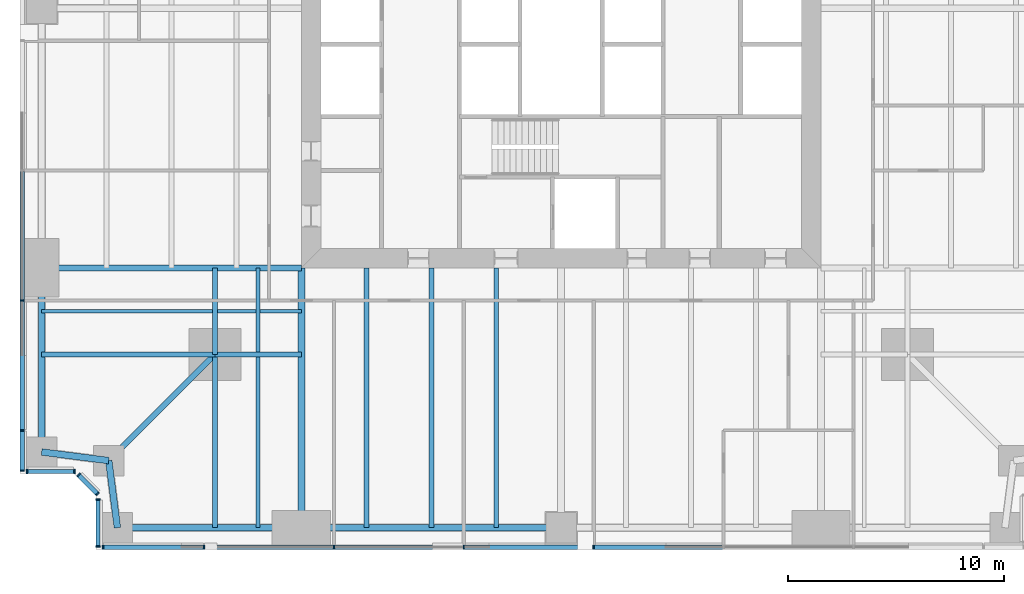
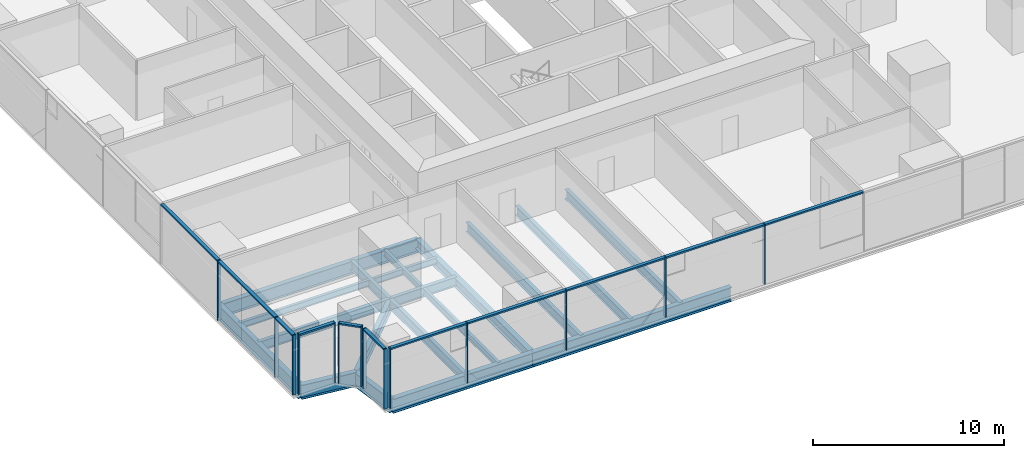
# One storey, part 2 of 13: 25 members, 20 beams, 5 elements without a shape of their own.
"""IFC4 building model written with IfcOpenShell, lengths in metres."""

import ifcopenshell
import ifcopenshell.guid

model = None  # the IFC model being written
_history = None  # IfcOwnerHistory: only IFC2X3 demands one
_inside = {}  # id of a spatial element -> (the spatial element, [elements in it])
_under = {}  # id of a project, library or spatial element -> (it, [spatial elements below it])
_declared = {}  # id of a project -> (the project, [libraries it declares])
_typed = {}  # id of a type object -> (the type object, [elements of that type])
_made_of = {}  # id of a material, layer set ... -> (it, [elements and type objects made of it])


def new_model(schema):
    """Start an empty IFC model of exactly this schema.

    Asked for "IFC4X3", IfcOpenShell would pick the latest addendum, in which some entities
    have other attributes; the version numbers below select the first issue.
    IFC2X3 requires an IfcOwnerHistory on every rooted entity: one is made here for all.
    """
    global model, _history
    if schema == "IFC4X3":
        model = ifcopenshell.file(schema_version=(4, 3, 0, 0))
    else:
        model = ifcopenshell.file(schema=schema)
    _inside.clear()
    _under.clear()
    _declared.clear()
    _typed.clear()
    _made_of.clear()
    _history = None
    if model.schema == "IFC2X3":
        org = make("IfcOrganization", Name="unknown")
        user = make(
            "IfcPersonAndOrganization",
            ThePerson=make("IfcPerson", FamilyName="unknown"),
            TheOrganization=org,
        )
        app = make(
            "IfcApplication",
            ApplicationDeveloper=org,
            Version="unknown",
            ApplicationFullName="unknown",
            ApplicationIdentifier="unknown",
        )
        _history = make(
            "IfcOwnerHistory",
            OwningUser=user,
            OwningApplication=app,
            ChangeAction="ADDED",
            CreationDate=0,
        )
    return model


def make(cls, **values):
    """One entity of the class cls with the attributes given. An attribute that is None is left unset."""
    return model.create_entity(
        cls, **{name: value for name, value in values.items() if value is not None}
    )


def rooted(cls, **values):
    """An entity with a GlobalId (a new one), such as an element, a storey or a relation."""
    return make(cls, GlobalId=ifcopenshell.guid.new(), OwnerHistory=_history, **values)


def si_unit(unit_type, name, prefix=None):
    """IfcSIUnit, for example si_unit("LENGTHUNIT", "METRE", prefix="MILLI")."""
    return make("IfcSIUnit", UnitType=unit_type, Prefix=prefix, Name=name)


def assignment(units):
    """IfcUnitAssignment: the units of a project."""
    return None if units is None else make("IfcUnitAssignment", Units=units)


def point(xyz):
    """IfcCartesianPoint."""
    return None if xyz is None else make("IfcCartesianPoint", Coordinates=xyz)


def direction(xyz):
    """IfcDirection."""
    return None if xyz is None else make("IfcDirection", DirectionRatios=xyz)


def frame(location, z_axis=None, x_axis=None):
    """IfcAxis2Placement3D, a coordinate frame: its origin and axes. An axis left out is left unset."""
    return make(
        "IfcAxis2Placement3D",
        Location=point(location),
        Axis=direction(z_axis),
        RefDirection=direction(x_axis),
    )


def frame_2d(location, x_axis=None):
    """IfcAxis2Placement2D, a coordinate frame in the plane: its origin and x axis."""
    return make(
        "IfcAxis2Placement2D", Location=point(location), RefDirection=direction(x_axis)
    )


def origin():
    """The frame at (0, 0, 0) with its axes left unset."""
    return frame((0.0, 0.0, 0.0))


def origin_2d():
    """The frame at (0, 0) in the plane with its x axis left unset."""
    return frame_2d((0.0, 0.0))


def place(relative_to, where):
    """IfcLocalPlacement: puts the frame where relative to a parent placement (None: the world)."""
    return make(
        "IfcLocalPlacement", PlacementRelTo=relative_to, RelativePlacement=where
    )


def context(
    kind, dimensions, precision=None, world=None, true_north=None, identifier=None
):
    """IfcGeometricRepresentationContext, for example the 3D "Model" context."""
    return make(
        "IfcGeometricRepresentationContext",
        ContextIdentifier=identifier,
        ContextType=kind,
        CoordinateSpaceDimension=dimensions,
        Precision=precision,
        WorldCoordinateSystem=world,
        TrueNorth=true_north,
    )


def subcontext(parent, identifier, kind, view, scale=None):
    """IfcGeometricRepresentationSubContext, for example "Body" below "Model"."""
    return make(
        "IfcGeometricRepresentationSubContext",
        ContextIdentifier=identifier,
        ContextType=kind,
        ParentContext=parent,
        TargetScale=scale,
        TargetView=view,
    )


def project(units=None, contexts=None):
    """IfcProject with its units and contexts."""
    return rooted(
        "IfcProject",
        Name="project",
        RepresentationContexts=contexts,
        UnitsInContext=assignment(units),
    )


def spatial(cls, under=None, at=None, **own):
    """A site, building, storey or space (cls), placed at a placement, below another one or the project."""
    s = rooted(cls, ObjectPlacement=at, **own)
    if under is not None:
        _under.setdefault(under.id(), (under, []))[1].append(s)
    return s


def profile(cls, at=None, kind="AREA", **sizes):
    """A parametric profile (cls). Its sizes go by their IFC names, for example OverallWidth=200.0."""
    return make(cls, ProfileType=kind, Position=at, **sizes)


def rectangle(**sizes):
    """IfcRectangleProfileDef."""
    return profile("IfcRectangleProfileDef", **sizes)


def i_section(**sizes):
    """IfcIShapeProfileDef."""
    return profile("IfcIShapeProfileDef", **sizes)


def extrude(swept, where, along, depth):
    """IfcExtrudedAreaSolid: the profile swept, set in the frame where, extruded along a direction by depth."""
    return make(
        "IfcExtrudedAreaSolid",
        SweptArea=swept,
        Position=where,
        ExtrudedDirection=direction(along),
        Depth=depth,
    )


def shape(context_of_items, identifier, shape_type, items):
    """IfcShapeRepresentation: the items that make up one representation, for example the "Body"."""
    return make(
        "IfcShapeRepresentation",
        ContextOfItems=context_of_items,
        RepresentationIdentifier=identifier,
        RepresentationType=shape_type,
        Items=items,
    )


def material(Name=None, Category=None):
    """IfcMaterial."""
    return make("IfcMaterial", Name=Name, Category=Category)


def material_profile(
    of_material, cross_section, Name=None, Category=None, Priority=None
):
    """IfcMaterialProfile: a cross section and its material."""
    return make(
        "IfcMaterialProfile",
        Name=Name,
        Material=of_material,
        Profile=cross_section,
        Priority=Priority,
        Category=Category,
    )


def profile_set(profiles, Name=None, composite=None):
    """IfcMaterialProfileSet."""
    return make(
        "IfcMaterialProfileSet",
        Name=Name,
        MaterialProfiles=profiles,
        CompositeProfile=composite,
    )


def made_of(thing, what):
    """Note that an element or type object is made of a material, layer set ...; save() writes the relation."""
    if what is not None:
        _made_of.setdefault(what.id(), (what, []))[1].append(thing)
    return thing


def type_object(cls, material=None, **own):
    """A type object (cls), such as IfcWallType, which elements share."""
    return made_of(rooted(cls, **own), material)


def element(
    cls,
    number,
    at=None,
    inside=None,
    cuts=None,
    type_object=None,
    material=None,
    context=None,
    identifier="Body",
    shape_type=None,
    held_by="IfcProductDefinitionShape",
    body=None,
    shapes=None,
    **own,
):
    """One element of the class cls, such as IfcWall. Its Tag is "e" and its number.

    at: its placement. inside: the storey or other place that contains it. cuts: it is an
    opening in that element (IfcRelVoidsElement). A single representation is given by context,
    identifier, shape_type and body (its items); several are given by shapes. held_by: the class
    of the entity that holds the representations. save() writes the other relations.
    """
    e = rooted(cls, Tag="e%d" % number, ObjectPlacement=at, **own)
    if body is not None:
        shapes = [shape(context, identifier, shape_type, body)]
    if shapes is not None:
        e.Representation = make(held_by, Representations=shapes)
    if inside is not None:
        _inside.setdefault(inside.id(), (inside, []))[1].append(e)
    if cuts is not None:
        rooted(
            "IfcRelVoidsElement", RelatingBuildingElement=cuts, RelatedOpeningElement=e
        )
    if type_object is not None:
        _typed.setdefault(type_object.id(), (type_object, []))[1].append(e)
    return made_of(e, material)


def aggregate(whole, parts):
    """IfcRelAggregates: a whole, such as a stair, and the parts it consists of."""
    return rooted("IfcRelAggregates", RelatingObject=whole, RelatedObjects=parts)


def save(model, path):
    """Write the relations noted so far, then the file.

    IfcRelAggregates (storeys below a building ...), IfcRelContainedInSpatialStructure (elements
    in a storey), IfcRelDefinesByType, IfcRelAssociatesMaterial and IfcRelDeclares: one each for
    every whole, place, type object, material and project.
    """
    for whole, parts in _under.values():
        aggregate(whole, parts)
    for where, things in _inside.values():
        rooted(
            "IfcRelContainedInSpatialStructure",
            RelatedElements=things,
            RelatingStructure=where,
        )
    for kind, things in _typed.values():
        rooted("IfcRelDefinesByType", RelatedObjects=things, RelatingType=kind)
    for what, things in _made_of.values():
        rooted("IfcRelAssociatesMaterial", RelatedObjects=things, RelatingMaterial=what)
    for by, libraries in _declared.values():
        rooted("IfcRelDeclares", RelatingContext=by, RelatedDefinitions=libraries)
    model.write(path)


model = new_model("IFC4")

# Units and contexts
model_context = context("Model", 3, precision=1e-05, world=origin(), true_north=direction((0.0, 1.0)))
body_context = subcontext(model_context, "Body", "Model", "MODEL_VIEW")
ifc_project = project(units=[si_unit("LENGTHUNIT", "METRE"), si_unit("AREAUNIT", "SQUARE_METRE"), si_unit("VOLUMEUNIT", "CUBIC_METRE"), si_unit("PLANEANGLEUNIT", "RADIAN"), si_unit("MASSUNIT", "GRAM", prefix="KILO")], contexts=[model_context])

# Site, building, storey
site_placement = place(None, origin())
site = spatial("IfcSite", under=ifc_project, at=site_placement, CompositionType="ELEMENT")
building_placement = place(site_placement, origin())
building = spatial("IfcBuilding", under=site, at=building_placement, Name="Fenwick Lantern Interchange", CompositionType="ELEMENT")
storey_placement = place(building_placement, frame((0.0, 0.0, 63.0)))
storey = spatial("IfcBuildingStorey", under=building, at=storey_placement, Name="L14", CompositionType="ELEMENT", Elevation=63.0)

# Beams
ifc_material_1 = material(Name="Steel ASTM A992 Grade 50", Category="steel")
ifc_material_profile_1 = material_profile(ifc_material_1, i_section(OverallWidth=0.3046875, OverallDepth=0.911865234375, WebThickness=0.015869140625, FlangeThickness=0.02392578125, at=origin_2d()), Name="W36X150")
ifc_profile_set_1 = profile_set([ifc_material_profile_1], Name="Steel ASTM A992 Grade 50")
beam_type_1 = type_object("IfcBeamType", Name="EDGE BEAM W36X150", PredefinedType="SPANDREL", material=ifc_profile_set_1)
beam_1_placement = place(storey_placement, frame((4.5, 1.0, -0.60595703125), z_axis=(1.0, 0.0, 0.0), x_axis=(0.0, 1.0, 0.0)))
element("IfcBeam", 1, at=beam_1_placement, inside=storey, type_object=beam_type_1, Name="L14/FR/S/EB1", PredefinedType="SPANDREL", context=body_context, shape_type="SweptSolid", body=[
    extrude(i_section(OverallWidth=0.3046875, OverallDepth=0.911865234375, WebThickness=0.015869140625, FlangeThickness=0.02392578125, at=origin_2d()), origin(), (0.0, 0.0, 1.0), 8.5),
])
beam_2_placement = place(storey_placement, frame((13.0, 1.0, -0.60595703125), z_axis=(1.0, 0.0, 0.0), x_axis=(0.0, 1.0, 0.0)))
element("IfcBeam", 2, at=beam_2_placement, inside=storey, type_object=beam_type_1, Name="L14/FR/S/EB2", PredefinedType="SPANDREL", context=body_context, shape_type="SweptSolid", body=[
    extrude(i_section(OverallWidth=0.3046875, OverallDepth=0.911865234375, WebThickness=0.015869140625, FlangeThickness=0.02392578125, at=origin_2d()), origin(), (0.0, 0.0, 1.0), 12.0),
])
beam_3_placement = place(storey_placement, frame((1.0, 13.0, -0.60595703125), z_axis=(0.0, -1.0, 0.0), x_axis=(1.0, 0.0, 0.0)))
element("IfcBeam", 3, at=beam_3_placement, inside=storey, type_object=beam_type_1, Name="L14/FR/W/EB4", PredefinedType="SPANDREL", context=body_context, shape_type="SweptSolid", body=[
    extrude(i_section(OverallWidth=0.3046875, OverallDepth=0.911865234375, WebThickness=0.015869140625, FlangeThickness=0.02392578125, at=origin_2d()), origin(), (0.0, 0.0, 1.0), 8.5),
])
for number, where, z_axis, x_axis, name in (
    (4, (1.0, 4.5, -0.60595703125), (0.991782342897, -0.127936641807, 0.0), (0.127936641807, 0.991782342897, 0.0), "L14/FR/W/EBR1"),
    (5, (4.10009765625, 4.10009765625, -0.60595703125), (0.127936641807, -0.991782342897, 0.0), (0.991782342897, 0.127936641807, 0.0), "L14/FR/W/EBR2"),
):
    element("IfcBeam", number, at=place(storey_placement, frame(where, z_axis=z_axis, x_axis=x_axis)), inside=storey, type_object=beam_type_1, Name=name, PredefinedType="SPANDREL", context=body_context, shape_type="SweptSolid", body=[
        extrude(i_section(OverallWidth=0.3046875, OverallDepth=0.911865234375, WebThickness=0.015869140625, FlangeThickness=0.02392578125, at=origin_2d()), origin(), (0.0, 0.0, 1.0), 3.125732421875),
    ])
ifc_material_profile_2 = material_profile(ifc_material_1, i_section(OverallWidth=0.22900390625, OverallDepth=0.612060546875, WebThickness=0.011962890625, FlangeThickness=0.01953125, at=origin_2d()), Name="W24X84")
ifc_profile_set_2 = profile_set([ifc_material_profile_2], Name="Steel ASTM A992 Grade 50")
beam_type_2 = type_object("IfcBeamType", Name="FLOOR BEAM W24X84", PredefinedType="BEAM", material=ifc_profile_set_2)
for number, where, z_axis, x_axis, name in (
    (6, (16.0, 1.0, -0.4560546875), (0.0, 1.0, 0.0), (-1.0, 0.0, 0.0), "L14/FR/S/R02"),
    (7, (19.0, 1.0, -0.4560546875), (0.0, 1.0, 0.0), (-1.0, 0.0, 0.0), "L14/FR/S/R03"),
    (8, (22.0, 1.0, -0.4560546875), (0.0, 1.0, 0.0), (-1.0, 0.0, 0.0), "L14/FR/S/R04"),
):
    element("IfcBeam", number, at=place(storey_placement, frame(where, z_axis=z_axis, x_axis=x_axis)), inside=storey, type_object=beam_type_2, Name=name, PredefinedType="BEAM", context=body_context, shape_type="SweptSolid", body=[
        extrude(i_section(OverallWidth=0.22900390625, OverallDepth=0.612060546875, WebThickness=0.011962890625, FlangeThickness=0.01953125, at=origin_2d()), origin(), (0.0, 0.0, 1.0), 12.0),
    ])
ifc_material_profile_3 = material_profile(ifc_material_1, i_section(OverallWidth=0.177734375, OverallDepth=0.406494140625, WebThickness=0.0078125, FlangeThickness=0.012939453125, at=origin_2d()), Name="W16X40")
ifc_profile_set_3 = profile_set([ifc_material_profile_3], Name="Steel ASTM A992 Grade 50")
beam_type_3 = type_object("IfcBeamType", Name="INFILL BEAM W16X40", PredefinedType="JOIST", material=ifc_profile_set_3)
beam_4_placement = place(storey_placement, frame((11.0, 1.0, -0.353271484375), z_axis=(0.0, 1.0, 0.0), x_axis=(-1.0, 0.0, 0.0)))
element("IfcBeam", 9, at=beam_4_placement, inside=storey, type_object=beam_type_3, Name="L14/FR/S/J1", PredefinedType="JOIST", context=body_context, shape_type="SweptSolid", body=[
    extrude(i_section(OverallWidth=0.177734375, OverallDepth=0.406494140625, WebThickness=0.0078125, FlangeThickness=0.012939453125, at=origin_2d()), origin(), (0.0, 0.0, 1.0), 7.885498046875),
])
beam_5_placement = place(storey_placement, frame((11.0, 9.114501953125, -0.353271484375), z_axis=(0.0, 1.0, 0.0), x_axis=(-1.0, 0.0, 0.0)))
element("IfcBeam", 10, at=beam_5_placement, inside=storey, type_object=beam_type_3, Name="L14/FR/S/J2", PredefinedType="JOIST", context=body_context, shape_type="SweptSolid", body=[
    extrude(i_section(OverallWidth=0.177734375, OverallDepth=0.406494140625, WebThickness=0.0078125, FlangeThickness=0.012939453125, at=origin_2d()), origin(), (0.0, 0.0, 1.0), 3.885498046875),
])
beam_6_placement = place(storey_placement, frame((1.0, 11.0, -0.353271484375), z_axis=(1.0, 0.0, 0.0), x_axis=(0.0, 1.0, 0.0)))
element("IfcBeam", 11, at=beam_6_placement, inside=storey, type_object=beam_type_3, Name="L14/FR/S/J3", PredefinedType="JOIST", context=body_context, shape_type="SweptSolid", body=[
    extrude(i_section(OverallWidth=0.177734375, OverallDepth=0.406494140625, WebThickness=0.0078125, FlangeThickness=0.012939453125, at=origin_2d()), origin(), (0.0, 0.0, 1.0), 7.885498046875),
])
beam_7_placement = place(storey_placement, frame((9.114501953125, 11.0, -0.353271484375), z_axis=(1.0, 0.0, 0.0), x_axis=(0.0, 1.0, 0.0)))
element("IfcBeam", 12, at=beam_7_placement, inside=storey, type_object=beam_type_3, Name="L14/FR/S/J4", PredefinedType="JOIST", context=body_context, shape_type="SweptSolid", body=[
    extrude(i_section(OverallWidth=0.177734375, OverallDepth=0.406494140625, WebThickness=0.0078125, FlangeThickness=0.012939453125, at=origin_2d()), origin(), (0.0, 0.0, 1.0), 1.796630859375),
])
beam_8_placement = place(storey_placement, frame((11.0888671875, 11.0, -0.353271484375), z_axis=(1.0, 0.0, 0.0), x_axis=(0.0, 1.0, 0.0)))
element("IfcBeam", 13, at=beam_8_placement, inside=storey, type_object=beam_type_3, Name="L14/FR/S/J5", PredefinedType="JOIST", context=body_context, shape_type="SweptSolid", body=[
    extrude(i_section(OverallWidth=0.177734375, OverallDepth=0.406494140625, WebThickness=0.0078125, FlangeThickness=0.012939453125, at=origin_2d()), origin(), (0.0, 0.0, 1.0), 1.9111328125),
])
ifc_material_profile_4 = material_profile(ifc_material_1, i_section(OverallWidth=0.22900390625, OverallDepth=0.612060546875, WebThickness=0.011962890625, FlangeThickness=0.01953125, at=origin_2d()), Name="W24X84")
ifc_profile_set_4 = profile_set([ifc_material_profile_4], Name="Steel ASTM A992 Grade 50")
beam_type_4 = type_object("IfcBeamType", Name="MEGA COLUMN BEAM W24X84", PredefinedType="BEAM", material=ifc_profile_set_4)
for number, where, z_axis, x_axis, name in (
    (14, (9.0, 9.0, -0.4560546875), (0.0, -1.0, 0.0), (1.0, 0.0, 0.0), "L14/FR/S/MB1"),
    (15, (9.0, 9.0, -0.4560546875), (-1.0, 0.0, 0.0), (0.0, -1.0, 0.0), "L14/FR/S/MB2"),
):
    element("IfcBeam", number, at=place(storey_placement, frame(where, z_axis=z_axis, x_axis=x_axis)), inside=storey, type_object=beam_type_4, Name=name, PredefinedType="BEAM", context=body_context, shape_type="SweptSolid", body=[
        extrude(i_section(OverallWidth=0.22900390625, OverallDepth=0.612060546875, WebThickness=0.011962890625, FlangeThickness=0.01953125, at=origin_2d()), origin(), (0.0, 0.0, 1.0), 8.0),
    ])
for number, where, z_axis, x_axis, name in (
    (16, (9.0, 9.0, -0.4560546875), (1.0, 0.0, 0.0), (0.0, 1.0, 0.0), "L14/FR/S/MB3"),
    (17, (9.0, 9.0, -0.4560546875), (0.0, 1.0, 0.0), (-1.0, 0.0, 0.0), "L14/FR/S/MB4"),
):
    element("IfcBeam", number, at=place(storey_placement, frame(where, z_axis=z_axis, x_axis=x_axis)), inside=storey, type_object=beam_type_4, Name=name, PredefinedType="BEAM", context=body_context, shape_type="SweptSolid", body=[
        extrude(i_section(OverallWidth=0.22900390625, OverallDepth=0.612060546875, WebThickness=0.011962890625, FlangeThickness=0.01953125, at=origin_2d()), origin(), (0.0, 0.0, 1.0), 4.0),
    ])
ifc_material_profile_5 = material_profile(ifc_material_1, i_section(OverallWidth=0.32763671875, OverallDepth=0.622314453125, WebThickness=0.015380859375, FlangeThickness=0.0244140625, at=origin_2d()), Name="W24X131")
ifc_profile_set_5 = profile_set([ifc_material_profile_5], Name="Steel ASTM A992 Grade 50")
beam_type_5 = type_object("IfcBeamType", Name="MOMENT-CONNECTED GIRDER W24X131", PredefinedType="BEAM", material=ifc_profile_set_5)
beam_9_placement = place(storey_placement, frame((13.0, 1.0, -0.461181640625), z_axis=(0.0, 1.0, 0.0), x_axis=(-1.0, 0.0, 0.0)))
element("IfcBeam", 18, at=beam_9_placement, inside=storey, type_object=beam_type_5, Name="L14/FR/S/R01", PredefinedType="BEAM", context=body_context, shape_type="SweptSolid", body=[
    extrude(i_section(OverallWidth=0.32763671875, OverallDepth=0.622314453125, WebThickness=0.015380859375, FlangeThickness=0.0244140625, at=origin_2d()), origin(), (0.0, 0.0, 1.0), 12.0),
])
ifc_material_profile_6 = material_profile(ifc_material_1, i_section(OverallWidth=0.2919921875, OverallDepth=0.845703125, WebThickness=0.015380859375, FlangeThickness=0.0244140625, at=origin_2d()), Name="W33X141")
ifc_profile_set_6 = profile_set([ifc_material_profile_6], Name="Steel ASTM A992 Grade 50")
beam_type_6 = type_object("IfcBeamType", Name="MOMENT-CONNECTED GIRDER W33X141", PredefinedType="BEAM", material=ifc_profile_set_6)
beam_10_placement = place(storey_placement, frame((1.0, 13.0, -0.572998046875), z_axis=(1.0, 0.0, 0.0), x_axis=(0.0, 1.0, 0.0)))
element("IfcBeam", 19, at=beam_10_placement, inside=storey, type_object=beam_type_6, Name="L14/FR/W/R03", PredefinedType="BEAM", context=body_context, shape_type="SweptSolid", body=[
    extrude(i_section(OverallWidth=0.2919921875, OverallDepth=0.845703125, WebThickness=0.015380859375, FlangeThickness=0.0244140625, at=origin_2d()), origin(), (0.0, 0.0, 1.0), 12.0),
])
ifc_material_profile_7 = material_profile(ifc_material_1, i_section(OverallWidth=0.2666015625, OverallDepth=0.7568359375, WebThickness=0.013916015625, FlangeThickness=0.019287109375, at=origin_2d()), Name="W30X108")
ifc_profile_set_7 = profile_set([ifc_material_profile_7], Name="Steel ASTM A992 Grade 50")
beam_type_7 = type_object("IfcBeamType", Name="NOTCH BEAM W30X108", PredefinedType="BEAM", material=ifc_profile_set_7)
beam_11_placement = place(storey_placement, frame((9.0, 9.0, -0.528564453125), z_axis=(-0.707106781187, -0.707106781187, 0.0), x_axis=(0.707106781187, -0.707106781187, 0.0)))
element("IfcBeam", 20, at=beam_11_placement, inside=storey, type_object=beam_type_7, Name="L14/FR/S/TG", PredefinedType="BEAM", context=body_context, shape_type="SweptSolid", body=[
    extrude(i_section(OverallWidth=0.2666015625, OverallDepth=0.7568359375, WebThickness=0.013916015625, FlangeThickness=0.019287109375, at=origin_2d()), origin(), (0.0, 0.0, 1.0), 6.929443359375),
])

# Curtain wall, members
ifc_material_2 = material(Name="Aluminium curtain wall frame", Category="aluminium")
curtain_wall_type = type_object("IfcCurtainWallType", Name="OFFICE CURTAIN WALL", PredefinedType="USERDEFINED", material=ifc_material_2)
curtain_wall_1_placement = place(storey_placement, origin())
curtain_wall_1 = element("IfcCurtainWall", 21, at=curtain_wall_1_placement, inside=storey, type_object=curtain_wall_type, Name="Office curtain wall 01", ObjectType="OFFICE CURTAIN WALL", PredefinedType="USERDEFINED")
ifc_material_3 = material(Name="Aluminium extrusion", Category="aluminium")
ifc_material_profile_8 = material_profile(ifc_material_3, rectangle(XDim=0.199951171875, YDim=0.06494140625, at=origin_2d()), Name="OFFICE CURTAIN WALL MULLION 65 X 200")
ifc_profile_set_8 = profile_set([ifc_material_profile_8], Name="Aluminium extrusion")
member_type_1 = type_object("IfcMemberType", Name="OFFICE CURTAIN WALL MULLION 65 X 200", PredefinedType="MULLION", material=ifc_profile_set_8)
member_1_placement = place(storey_placement, frame((3.83251953125, 0.10009765625, 0.0), z_axis=(0.0, 0.0, 1.0), x_axis=(0.0, 1.0, 0.0)))
member_1 = element("IfcMember", 22, at=member_1_placement, type_object=member_type_1, Name="L14/CW/01/M00", PredefinedType="MULLION", context=body_context, shape_type="SweptSolid", body=[
    extrude(rectangle(XDim=0.199951171875, YDim=0.06494140625, at=origin_2d()), origin(), (0.0, 0.0, 1.0), 3.85009765625),
])
member_2_placement = place(storey_placement, frame((8.5, 0.10009765625, 0.0), z_axis=(0.0, 0.0, 1.0), x_axis=(0.0, 1.0, 0.0)))
member_2 = element("IfcMember", 23, at=member_2_placement, type_object=member_type_1, Name="L14/CW/01/M01", PredefinedType="MULLION", context=body_context, shape_type="SweptSolid", body=[
    extrude(rectangle(XDim=0.199951171875, YDim=0.06494140625, at=origin_2d()), origin(), (0.0, 0.0, 1.0), 3.85009765625),
])
member_3_placement = place(storey_placement, frame((14.5, 0.10009765625, 0.0), z_axis=(0.0, 0.0, 1.0), x_axis=(0.0, 1.0, 0.0)))
member_3 = element("IfcMember", 24, at=member_3_placement, type_object=member_type_1, Name="L14/CW/01/M02", PredefinedType="MULLION", context=body_context, shape_type="SweptSolid", body=[
    extrude(rectangle(XDim=0.199951171875, YDim=0.06494140625, at=origin_2d()), origin(), (0.0, 0.0, 1.0), 3.85009765625),
])
member_4_placement = place(storey_placement, frame((20.5, 0.10009765625, 0.0), z_axis=(0.0, 0.0, 1.0), x_axis=(0.0, 1.0, 0.0)))
member_4 = element("IfcMember", 25, at=member_4_placement, type_object=member_type_1, Name="L14/CW/01/M03", PredefinedType="MULLION", context=body_context, shape_type="SweptSolid", body=[
    extrude(rectangle(XDim=0.199951171875, YDim=0.06494140625, at=origin_2d()), origin(), (0.0, 0.0, 1.0), 3.85009765625),
])
member_5_placement = place(storey_placement, frame((26.5, 0.10009765625, 0.0), z_axis=(0.0, 0.0, 1.0), x_axis=(0.0, 1.0, 0.0)))
member_5 = element("IfcMember", 26, at=member_5_placement, type_object=member_type_1, Name="L14/CW/01/M04", PredefinedType="MULLION", context=body_context, shape_type="SweptSolid", body=[
    extrude(rectangle(XDim=0.199951171875, YDim=0.06494140625, at=origin_2d()), origin(), (0.0, 0.0, 1.0), 3.85009765625),
])

curtain_wall_2_placement = place(storey_placement, origin())
curtain_wall_2 = element("IfcCurtainWall", 27, at=curtain_wall_2_placement, inside=storey, type_object=curtain_wall_type, Name="Office curtain wall 13", ObjectType="OFFICE CURTAIN WALL", PredefinedType="USERDEFINED")
member_6_placement = place(storey_placement, frame((0.10009765625, 11.5, 0.0), z_axis=(0.0, 0.0, 1.0), x_axis=(1.0, 0.0, 0.0)))
member_6 = element("IfcMember", 28, at=member_6_placement, type_object=member_type_1, Name="L14/CW/13/M06", PredefinedType="MULLION", context=body_context, shape_type="SweptSolid", body=[
    extrude(rectangle(XDim=0.199951171875, YDim=0.06494140625, at=origin_2d()), origin(), (0.0, 0.0, 1.0), 3.85009765625),
])
member_7_placement = place(storey_placement, frame((0.10009765625, 5.5, 0.0), z_axis=(0.0, 0.0, 1.0), x_axis=(1.0, 0.0, 0.0)))
member_7 = element("IfcMember", 29, at=member_7_placement, type_object=member_type_1, Name="L14/CW/13/M07", PredefinedType="MULLION", context=body_context, shape_type="SweptSolid", body=[
    extrude(rectangle(XDim=0.199951171875, YDim=0.06494140625, at=origin_2d()), origin(), (0.0, 0.0, 1.0), 3.85009765625),
])
member_8_placement = place(storey_placement, frame((0.10009765625, 3.632568359375, 0.0), z_axis=(0.0, 0.0, 1.0), x_axis=(1.0, 0.0, 0.0)))
member_8 = element("IfcMember", 30, at=member_8_placement, type_object=member_type_1, Name="L14/CW/13/M08", PredefinedType="MULLION", context=body_context, shape_type="SweptSolid", body=[
    extrude(rectangle(XDim=0.199951171875, YDim=0.06494140625, at=origin_2d()), origin(), (0.0, 0.0, 1.0), 3.85009765625),
])

curtain_wall_3_placement = place(storey_placement, origin())
curtain_wall_3 = element("IfcCurtainWall", 31, at=curtain_wall_3_placement, inside=storey, type_object=curtain_wall_type, Name="Office curtain wall 14", ObjectType="OFFICE CURTAIN WALL", PredefinedType="USERDEFINED")
member_9_placement = place(storey_placement, frame((0.33251953125, 3.60009765625, 0.0), z_axis=(0.0, 0.0, 1.0), x_axis=(0.0, 1.0, 0.0)))
member_9 = element("IfcMember", 32, at=member_9_placement, type_object=member_type_1, Name="L14/CW/14/M00", PredefinedType="MULLION", context=body_context, shape_type="SweptSolid", body=[
    extrude(rectangle(XDim=0.199951171875, YDim=0.06494140625, at=origin_2d()), origin(), (0.0, 0.0, 1.0), 3.85009765625),
])
member_10_placement = place(storey_placement, frame((2.509033203125, 3.60009765625, 0.0), z_axis=(0.0, 0.0, 1.0), x_axis=(0.0, 1.0, 0.0)))
member_10 = element("IfcMember", 33, at=member_10_placement, type_object=member_type_1, Name="L14/CW/14/M01", PredefinedType="MULLION", context=body_context, shape_type="SweptSolid", body=[
    extrude(rectangle(XDim=0.199951171875, YDim=0.06494140625, at=origin_2d()), origin(), (0.0, 0.0, 1.0), 3.85009765625),
])

curtain_wall_4_placement = place(storey_placement, origin())
curtain_wall_4 = element("IfcCurtainWall", 34, at=curtain_wall_4_placement, inside=storey, type_object=curtain_wall_type, Name="Office curtain wall 15", ObjectType="OFFICE CURTAIN WALL", PredefinedType="USERDEFINED")
member_11_placement = place(storey_placement, frame((2.705810546875, 3.435546875, 0.0), z_axis=(0.0, 0.0, 1.0), x_axis=(0.707106781187, 0.707106781187, 0.0)))
member_11 = element("IfcMember", 35, at=member_11_placement, type_object=member_type_1, Name="L14/CW/15/M00", PredefinedType="MULLION", context=body_context, shape_type="SweptSolid", body=[
    extrude(rectangle(XDim=0.199951171875, YDim=0.06494140625, at=origin_2d()), origin(), (0.0, 0.0, 1.0), 3.85009765625),
])
member_12_placement = place(storey_placement, frame((3.576904296875, 2.564453125, 0.0), z_axis=(0.0, 0.0, 1.0), x_axis=(0.707106781187, 0.707106781187, 0.0)))
member_12 = element("IfcMember", 36, at=member_12_placement, type_object=member_type_1, Name="L14/CW/15/M01", PredefinedType="MULLION", context=body_context, shape_type="SweptSolid", body=[
    extrude(rectangle(XDim=0.199951171875, YDim=0.06494140625, at=origin_2d()), origin(), (0.0, 0.0, 1.0), 3.85009765625),
])

curtain_wall_5_placement = place(storey_placement, origin())
curtain_wall_5 = element("IfcCurtainWall", 37, at=curtain_wall_5_placement, inside=storey, type_object=curtain_wall_type, Name="Office curtain wall 16", ObjectType="OFFICE CURTAIN WALL", PredefinedType="USERDEFINED")
member_13_placement = place(storey_placement, frame((3.60009765625, 2.308837890625, 0.0), z_axis=(0.0, 0.0, 1.0), x_axis=(1.0, 0.0, 0.0)))
member_13 = element("IfcMember", 38, at=member_13_placement, type_object=member_type_1, Name="L14/CW/16/M00", PredefinedType="MULLION", context=body_context, shape_type="SweptSolid", body=[
    extrude(rectangle(XDim=0.199951171875, YDim=0.06494140625, at=origin_2d()), origin(), (0.0, 0.0, 1.0), 3.85009765625),
])
member_14_placement = place(storey_placement, frame((3.60009765625, 0.132568359375, 0.0), z_axis=(0.0, 0.0, 1.0), x_axis=(1.0, 0.0, 0.0)))
member_14 = element("IfcMember", 39, at=member_14_placement, type_object=member_type_1, Name="L14/CW/16/M01", PredefinedType="MULLION", context=body_context, shape_type="SweptSolid", body=[
    extrude(rectangle(XDim=0.199951171875, YDim=0.06494140625, at=origin_2d()), origin(), (0.0, 0.0, 1.0), 3.85009765625),
])

# Member
ifc_material_profile_9 = material_profile(ifc_material_3, rectangle(XDim=0.199951171875, YDim=0.10009765625, at=origin_2d()), Name="OFFICE CURTAIN WALL TRANSOM 100 X 200")
ifc_profile_set_9 = profile_set([ifc_material_profile_9], Name="Aluminium extrusion")
member_type_2 = type_object("IfcMemberType", Name="OFFICE CURTAIN WALL TRANSOM 100 X 200", PredefinedType="MULLION", material=ifc_profile_set_9)
member_15_placement = place(storey_placement, frame((3.864990234375, 0.10009765625, 3.800048828125), z_axis=(1.0, 0.0, 0.0), x_axis=(0.0, 1.0, 0.0)))
member_15 = element("IfcMember", 40, at=member_15_placement, type_object=member_type_2, Name="L14/CW/01/T00", PredefinedType="MULLION", context=body_context, shape_type="SweptSolid", body=[
    extrude(rectangle(XDim=0.199951171875, YDim=0.10009765625, at=origin_2d()), origin(), (0.0, 0.0, 1.0), 4.6025390625),
])

member_16_placement = place(storey_placement, frame((8.532470703125, 0.10009765625, 3.800048828125), z_axis=(1.0, 0.0, 0.0), x_axis=(0.0, 1.0, 0.0)))
member_16 = element("IfcMember", 41, at=member_16_placement, type_object=member_type_2, Name="L14/CW/01/T01", PredefinedType="MULLION", context=body_context, shape_type="SweptSolid", body=[
    extrude(rectangle(XDim=0.199951171875, YDim=0.10009765625, at=origin_2d()), origin(), (0.0, 0.0, 1.0), 5.93505859375),
])

member_17_placement = place(storey_placement, frame((14.532470703125, 0.10009765625, 3.800048828125), z_axis=(1.0, 0.0, 0.0), x_axis=(0.0, 1.0, 0.0)))
member_17 = element("IfcMember", 42, at=member_17_placement, type_object=member_type_2, Name="L14/CW/01/T02", PredefinedType="MULLION", context=body_context, shape_type="SweptSolid", body=[
    extrude(rectangle(XDim=0.199951171875, YDim=0.10009765625, at=origin_2d()), origin(), (0.0, 0.0, 1.0), 5.93505859375),
])

member_18_placement = place(storey_placement, frame((20.532470703125, 0.10009765625, 3.800048828125), z_axis=(1.0, 0.0, 0.0), x_axis=(0.0, 1.0, 0.0)))
member_18 = element("IfcMember", 43, at=member_18_placement, type_object=member_type_2, Name="L14/CW/01/T03", PredefinedType="MULLION", context=body_context, shape_type="SweptSolid", body=[
    extrude(rectangle(XDim=0.199951171875, YDim=0.10009765625, at=origin_2d()), origin(), (0.0, 0.0, 1.0), 5.93505859375),
])

member_19_placement = place(storey_placement, frame((26.532470703125, 0.10009765625, 3.800048828125), z_axis=(1.0, 0.0, 0.0), x_axis=(0.0, 1.0, 0.0)))
member_19 = element("IfcMember", 44, at=member_19_placement, type_object=member_type_2, Name="L14/CW/01/T04", PredefinedType="MULLION", context=body_context, shape_type="SweptSolid", body=[
    extrude(rectangle(XDim=0.199951171875, YDim=0.10009765625, at=origin_2d()), origin(), (0.0, 0.0, 1.0), 5.93505859375),
])

aggregate(curtain_wall_1, [member_1, member_2, member_3, member_4, member_5, member_15, member_16, member_17, member_18, member_19])

member_20_placement = place(storey_placement, frame((0.10009765625, 17.467529296875, 3.800048828125), z_axis=(0.0, -1.0, 0.0), x_axis=(1.0, 0.0, 0.0)))
member_20 = element("IfcMember", 45, at=member_20_placement, type_object=member_type_2, Name="L14/CW/13/T05", PredefinedType="MULLION", context=body_context, shape_type="SweptSolid", body=[
    extrude(rectangle(XDim=0.199951171875, YDim=0.10009765625, at=origin_2d()), origin(), (0.0, 0.0, 1.0), 5.93505859375),
])

member_21_placement = place(storey_placement, frame((0.10009765625, 11.467529296875, 3.800048828125), z_axis=(0.0, -1.0, 0.0), x_axis=(1.0, 0.0, 0.0)))
member_21 = element("IfcMember", 46, at=member_21_placement, type_object=member_type_2, Name="L14/CW/13/T06", PredefinedType="MULLION", context=body_context, shape_type="SweptSolid", body=[
    extrude(rectangle(XDim=0.199951171875, YDim=0.10009765625, at=origin_2d()), origin(), (0.0, 0.0, 1.0), 5.93505859375),
])

member_22_placement = place(storey_placement, frame((0.10009765625, 5.467529296875, 3.800048828125), z_axis=(0.0, -1.0, 0.0), x_axis=(1.0, 0.0, 0.0)))
member_22 = element("IfcMember", 47, at=member_22_placement, type_object=member_type_2, Name="L14/CW/13/T07", PredefinedType="MULLION", context=body_context, shape_type="SweptSolid", body=[
    extrude(rectangle(XDim=0.199951171875, YDim=0.10009765625, at=origin_2d()), origin(), (0.0, 0.0, 1.0), 1.802490234375),
])

aggregate(curtain_wall_2, [member_6, member_7, member_8, member_20, member_21, member_22])

member_23_placement = place(storey_placement, frame((0.364990234375, 3.60009765625, 3.800048828125), z_axis=(1.0, 0.0, 0.0), x_axis=(0.0, 1.0, 0.0)))
member_23 = element("IfcMember", 48, at=member_23_placement, type_object=member_type_2, Name="L14/CW/14/T00", PredefinedType="MULLION", context=body_context, shape_type="SweptSolid", body=[
    extrude(rectangle(XDim=0.199951171875, YDim=0.10009765625, at=origin_2d()), origin(), (0.0, 0.0, 1.0), 2.111328125),
])

aggregate(curtain_wall_3, [member_9, member_10, member_23])

member_24_placement = place(storey_placement, frame((2.728759765625, 3.41259765625, 3.800048828125), z_axis=(0.707106781187, -0.707106781187, 0.0), x_axis=(0.707106781187, 0.707106781187, 0.0)))
member_24 = element("IfcMember", 49, at=member_24_placement, type_object=member_type_2, Name="L14/CW/15/T00", PredefinedType="MULLION", context=body_context, shape_type="SweptSolid", body=[
    extrude(rectangle(XDim=0.199951171875, YDim=0.10009765625, at=origin_2d()), origin(), (0.0, 0.0, 1.0), 1.1669921875),
])

aggregate(curtain_wall_4, [member_11, member_12, member_24])

member_25_placement = place(storey_placement, frame((3.60009765625, 2.2763671875, 3.800048828125), z_axis=(0.0, -1.0, 0.0), x_axis=(1.0, 0.0, 0.0)))
member_25 = element("IfcMember", 50, at=member_25_placement, type_object=member_type_2, Name="L14/CW/16/T00", PredefinedType="MULLION", context=body_context, shape_type="SweptSolid", body=[
    extrude(rectangle(XDim=0.199951171875, YDim=0.10009765625, at=origin_2d()), origin(), (0.0, 0.0, 1.0), 2.111328125),
])

aggregate(curtain_wall_5, [member_13, member_14, member_25])

save(model, "model.ifc")
